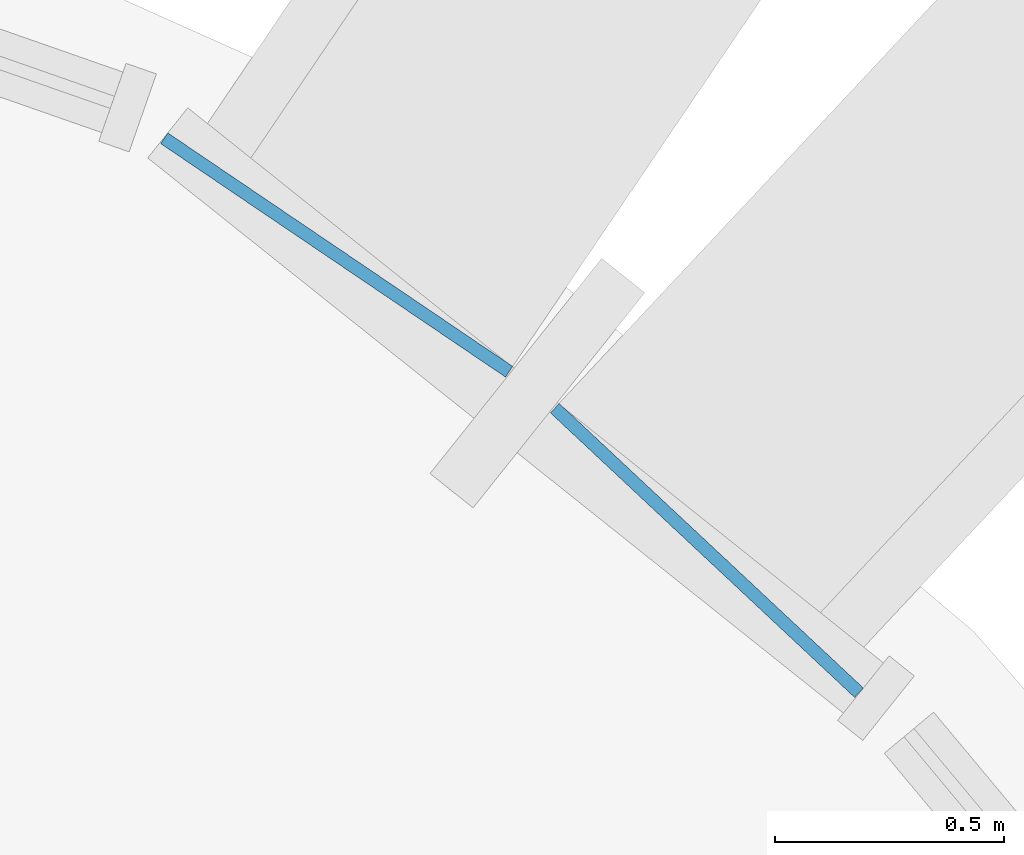
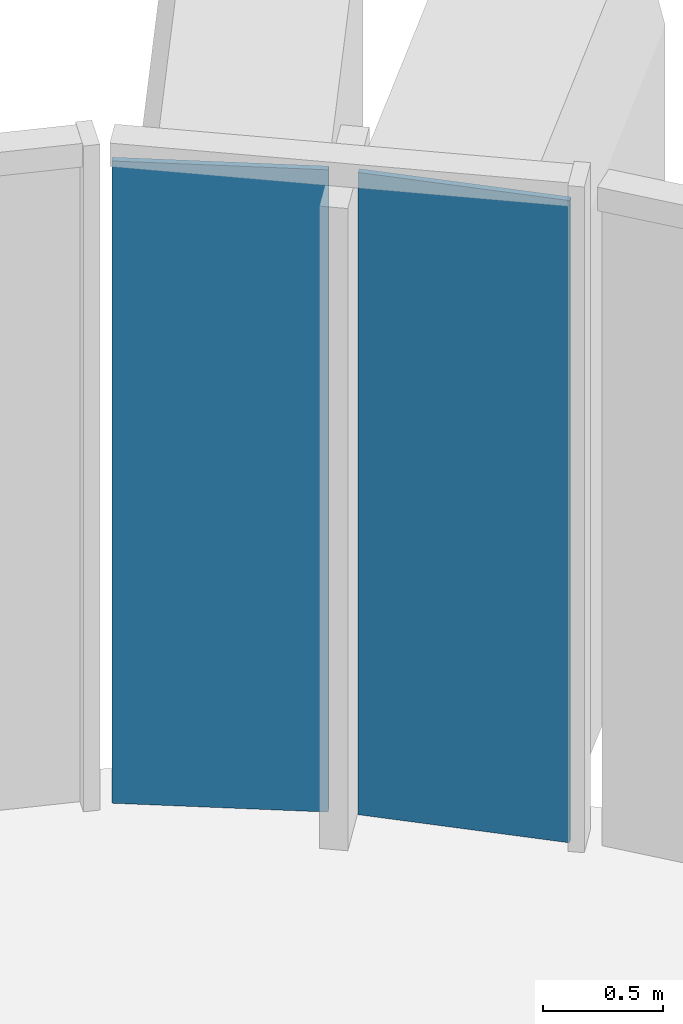
# One storey, part 10 of 18: 2 plates, 1 element without a shape of its own.
"""IFC4 building model written with IfcOpenShell, lengths in metres."""

from ifc_helpers import new_model, si_unit, direction, frame, origin, place, context, subcontext, project, spatial, polyline, outline, extrude, material, layer, layer_set, type_object, element, aggregate, save


model = new_model("IFC4")

# Units and contexts
model_context = context("Model", 3, precision=1e-05, world=origin(), true_north=direction((0.0, 1.0)))
body_context = subcontext(model_context, "Body", "Model", "MODEL_VIEW")
ifc_project = project(units=[si_unit("LENGTHUNIT", "METRE"), si_unit("AREAUNIT", "SQUARE_METRE"), si_unit("VOLUMEUNIT", "CUBIC_METRE"), si_unit("PLANEANGLEUNIT", "RADIAN"), si_unit("MASSUNIT", "GRAM", prefix="KILO")], contexts=[model_context])

# Site, building, storey
site_placement = place(None, origin())
site = spatial("IfcSite", under=ifc_project, at=site_placement, CompositionType="ELEMENT")
building_placement = place(site_placement, origin())
building = spatial("IfcBuilding", under=site, at=building_placement, Name="Sierra Prisma Convention Tower", CompositionType="ELEMENT")
storey_placement = place(building_placement, frame((0.0, 0.0, 255.0)))
storey = spatial("IfcBuildingStorey", under=building, at=storey_placement, Name="L57", CompositionType="ELEMENT", Elevation=255.0)

# Curtain wall, plates
ifc_material_1 = material(Name="Aluminium and glass curtain wall", Category="aluminium")
ifc_layer_1 = layer(ifc_material_1, 0.179931640625)
ifc_layer_set_1 = layer_set([ifc_layer_1], Name="CW-2 Faceted crystal curtain wall")
curtain_wall_type = type_object("IfcCurtainWallType", Name="CW-2 Faceted crystal curtain wall", PredefinedType="NOTDEFINED", material=ifc_layer_set_1)
curtain_wall_placement = place(storey_placement, origin())
curtain_wall = element("IfcCurtainWall", 1, at=curtain_wall_placement, inside=storey, type_object=curtain_wall_type, Name="CW-2 N1 L57", PredefinedType="NOTDEFINED")
ifc_material_2 = material(Name="Tinted glass bronze-grey IGU", Category="glass")
ifc_layer_2 = layer(ifc_material_2, 0.028076171875)
ifc_layer_set_2 = layer_set([ifc_layer_2], Name="CW-2 crystal pane")
plate_type = type_object("IfcPlateType", Name="CW-2 crystal pane", PredefinedType="CURTAIN_PANEL", material=ifc_layer_set_2)
plate_1_placement = place(storey_placement, frame((4.575439453125, 29.146240234375, 0.0), z_axis=(0.683055384698, 0.730366580174, 0.0), x_axis=(-0.730366580174, 0.683055384698, 0.0)))
plate_1 = element("IfcPlate", 2, at=plate_1_placement, type_object=plate_type, Name="CW-2 pane N1.1.1", PredefinedType="CURTAIN_PANEL", context=body_context, shape_type="SweptSolid", body=[
    extrude(outline(polyline([(0.0, 0.0), (0.908215266320894, 0.0), (0.908215266320894, 3.280029296875), (0.0, 3.280029296875), (0.0, 0.0)])), origin(), (0.0, 0.0, -1.0), 0.028076171875),
])
plate_2_placement = place(storey_placement, frame((3.05859375, 30.356689453125, 0.0), z_axis=(0.560640133089, 0.828059563781, 0.0), x_axis=(0.828059563781, -0.560640133089, 0.0)))
plate_2 = element("IfcPlate", 3, at=plate_2_placement, type_object=plate_type, Name="CW-2 pane N1.1.2", PredefinedType="CURTAIN_PANEL", context=body_context, shape_type="SweptSolid", body=[
    extrude(outline(polyline([(0.0, 0.0), (0.9083854574302599, 0.0), (0.9083854574302599, -3.280029296875), (0.0, -3.280029296875), (0.0, 0.0)])), origin(), (0.0, 0.0, -1.0), 0.028076171875),
])
aggregate(curtain_wall, [plate_1, plate_2])

save(model, "model.ifc")
